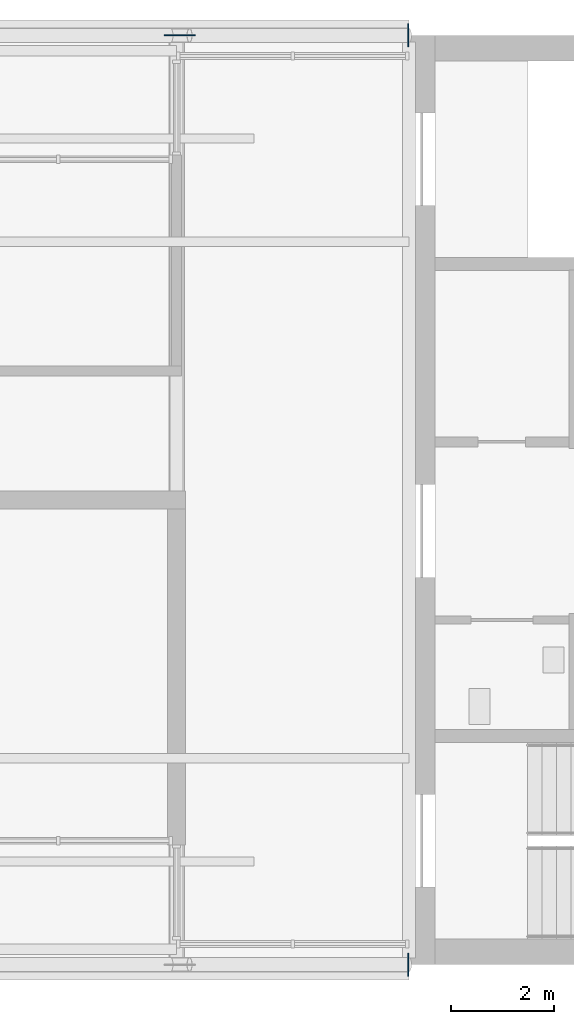
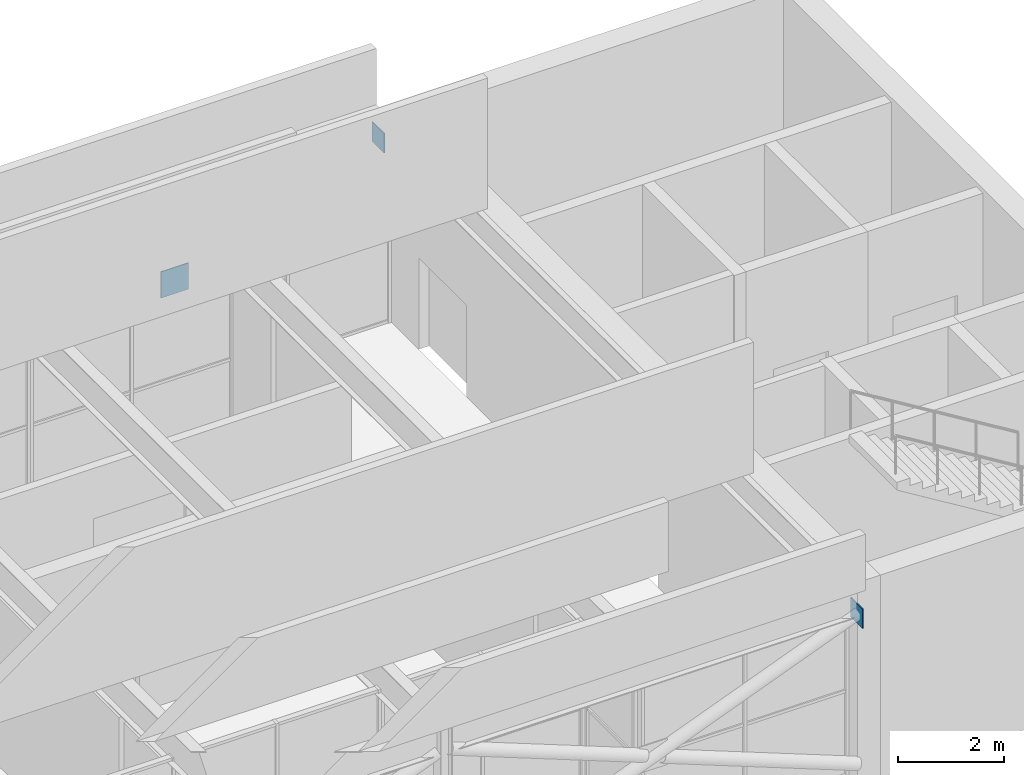
# One storey, part 9 of 13: 3 plates.
"""IFC4 building model written with IfcOpenShell, lengths in metres."""

from ifc_helpers import new_model, si_unit, direction, frame, origin, origin_2d, place, context, subcontext, project, spatial, rectangle, extrude, material, layer, layer_set, type_object, element, save


model = new_model("IFC4")

# Units and contexts
model_context = context("Model", 3, precision=1e-05, world=origin(), true_north=direction((0.0, 1.0)))
body_context = subcontext(model_context, "Body", "Model", "MODEL_VIEW")
ifc_project = project(units=[si_unit("LENGTHUNIT", "METRE"), si_unit("AREAUNIT", "SQUARE_METRE"), si_unit("VOLUMEUNIT", "CUBIC_METRE"), si_unit("PLANEANGLEUNIT", "RADIAN"), si_unit("MASSUNIT", "GRAM", prefix="KILO")], contexts=[model_context])

# Site, building, storey
site_placement = place(None, origin())
site = spatial("IfcSite", under=ifc_project, at=site_placement, CompositionType="ELEMENT")
building_placement = place(site_placement, origin())
building = spatial("IfcBuilding", under=site, at=building_placement, Name="Corbel Yard City Hall", CompositionType="ELEMENT")
storey_placement = place(building_placement, frame((0.0, 0.0, 71.199951171875)))
storey = spatial("IfcBuildingStorey", under=building, at=storey_placement, Name="L17", CompositionType="ELEMENT", Elevation=71.199951171875)

# Plates
ifc_material = material(Name="Steel Grade 300 (300 MPa yield)", Category="steel")
ifc_layer_1 = layer(ifc_material, 0.02001953125)
ifc_layer_set_1 = layer_set([ifc_layer_1], Name="Steel Grade 300 (300 MPa yield)")
plate_type_1 = type_object("IfcPlateType", Name="Crown brace crossing gusset plate", PredefinedType="NOTDEFINED", material=ifc_layer_set_1)
plate_placement = place(storey_placement, frame((40.56494140625, 117.0, 1.930908203125), z_axis=(0.0, 0.0, 1.0), x_axis=(1.0, 0.0, 0.0)))
element("IfcPlate", 1, at=plate_placement, inside=storey, type_object=plate_type_1, Name="Crown brace crossing gusset plate EP4", PredefinedType="NOTDEFINED", context=body_context, shape_type="SweptSolid", body=[
    extrude(rectangle(XDim=0.60009765625, YDim=0.02001953125, at=origin_2d()), origin(), (0.0, 0.0, 1.0), 0.60009765625),
])
ifc_layer_2 = layer(ifc_material, 0.02001953125)
ifc_layer_set_2 = layer_set([ifc_layer_2], Name="Steel Grade 300 (300 MPa yield)")
plate_type_2 = type_object("IfcPlateType", Name="Crown brace wall gusset plate", PredefinedType="NOTDEFINED", material=ifc_layer_set_2)
for number, where, z_axis, x_axis, name in (
    (2, (44.989990234375, 99.0, 3.7373046875), (0.0, 0.0, 1.0), (0.0, 1.0, 0.0), "Crown brace wall gusset plate EP5"),
    (3, (44.989990234375, 117.0, 3.7373046875), (0.0, 0.0, 1.0), (0.0, 1.0, 0.0), "Crown brace wall gusset plate EP5"),
):
    element("IfcPlate", number, at=place(storey_placement, frame(where, z_axis=z_axis, x_axis=x_axis)), inside=storey, type_object=plate_type_2, Name=name, PredefinedType="NOTDEFINED", context=body_context, shape_type="SweptSolid", body=[
        extrude(rectangle(XDim=0.449951171875, YDim=0.02001953125, at=origin_2d()), origin(), (0.0, 0.0, 1.0), 0.449951171875),
    ])

save(model, "model.ifc")
